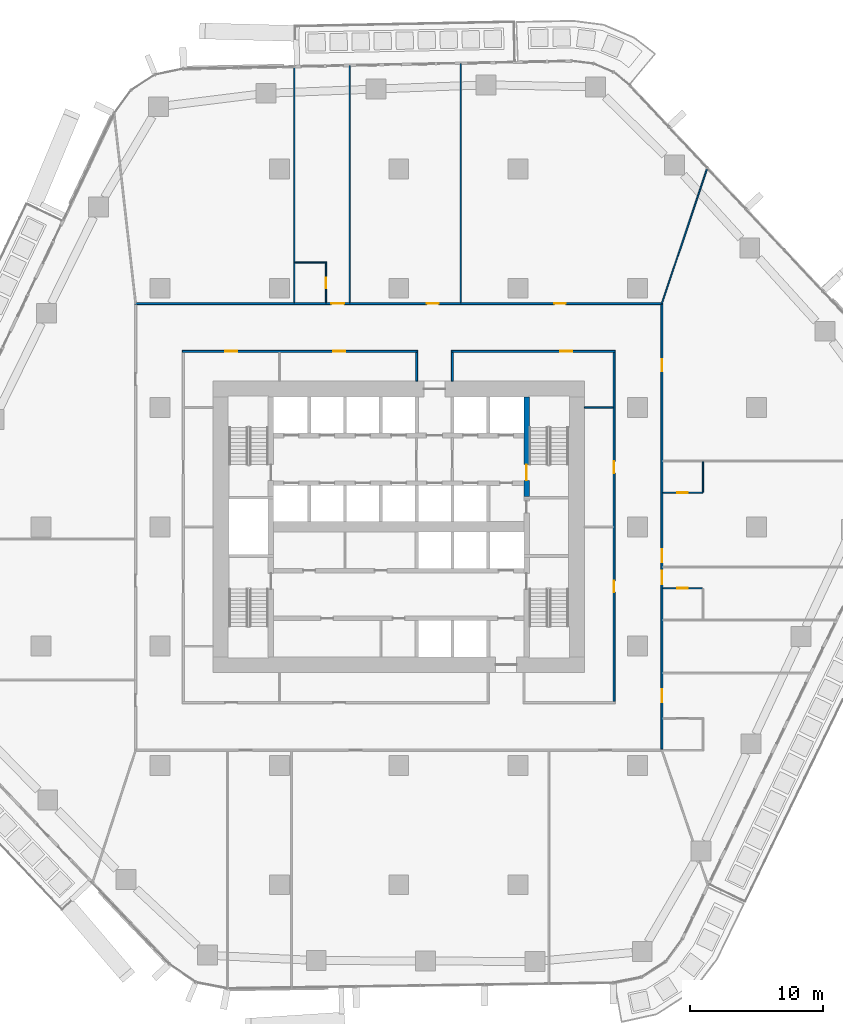
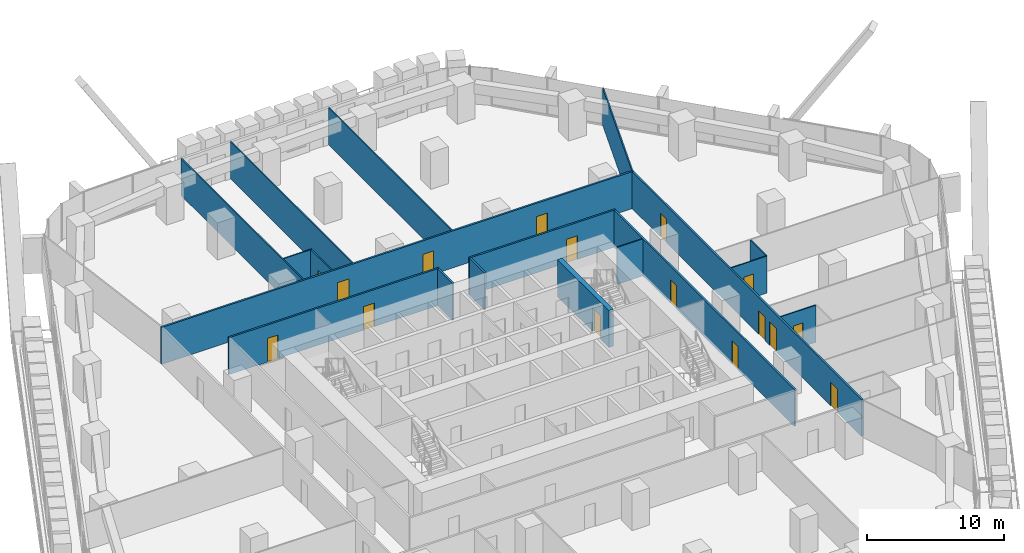
# One storey, part 16 of 24: 18 walls, 16 doors, 16 openings.
"""IFC4 building model written with IfcOpenShell, lengths in metres."""

from ifc_helpers import new_model, si_unit, direction, frame, frame_2d, origin, place, context, subcontext, project, spatial, rectangle, extrude, material, layer, layer_set, type_object, element, fill, save


model = new_model("IFC4")

# Units and contexts
model_context = context("Model", 3, precision=1e-05, world=origin(), true_north=direction((0.0, 1.0)))
body_context = subcontext(model_context, "Body", "Model", "MODEL_VIEW")
ifc_project = project(units=[si_unit("LENGTHUNIT", "METRE"), si_unit("AREAUNIT", "SQUARE_METRE"), si_unit("VOLUMEUNIT", "CUBIC_METRE"), si_unit("PLANEANGLEUNIT", "RADIAN"), si_unit("MASSUNIT", "GRAM", prefix="KILO")], contexts=[model_context])

# Site, building, storey
site_placement = place(None, origin())
site = spatial("IfcSite", under=ifc_project, at=site_placement, CompositionType="ELEMENT")
building_placement = place(site_placement, origin())
building = spatial("IfcBuilding", under=site, at=building_placement, Name="Dongbaek Canopy Tower", CompositionType="ELEMENT")
storey_placement = place(building_placement, frame((0.0, 0.0, 51.39990234375)))
storey = spatial("IfcBuildingStorey", under=building, at=storey_placement, Name="L08", CompositionType="ELEMENT", Elevation=51.39990234375)

# Wall, openings, doors
ifc_material_1 = material(Name="Gypsum board partition, steel stud, 2 x 15 mm fire board", Category="steel")
ifc_layer_1 = layer(ifc_material_1, 0.14990234375)
ifc_layer_set_1 = layer_set([ifc_layer_1], Name="Fire-rated partition 150 gypsum board")
wall_type_1 = type_object("IfcWallType", Name="Fire-rated partition 150 gypsum board", PredefinedType="PARTITIONING", material=ifc_layer_set_1)
wall_1_placement = place(storey_placement, frame((1.425048828125, 13.25, 0.0), z_axis=(0.0, 0.0, 1.0), x_axis=(-1.0, 0.0, 0.0)))
wall_1 = element("IfcWall", 1, at=wall_1_placement, inside=storey, type_object=wall_type_1, Name="Corridor partition", PredefinedType="PARTITIONING", context=body_context, shape_type="SweptSolid", body=[
    extrude(rectangle(XDim=17.75, YDim=0.14990234375, at=frame_2d((8.875, 0.0))), origin(), (0.0, 0.0, 1.0), 3.300048828125),
])
opening_1_placement = place(wall_1_placement, frame((5.47509765625, 0.0, 0.0)))
opening_1 = element("IfcOpeningElement", 2, at=opening_1_placement, cuts=wall_1, Name="Opening L08-D024", PredefinedType="OPENING", context=body_context, shape_type="SweptSolid", body=[
    extrude(rectangle(XDim=0.89990234375, YDim=2.10009765625, at=frame_2d((0.449951171875, 1.050048828125))), frame((0.0, 0.0849609375, 0.0), z_axis=(0.0, -1.0, 0.0), x_axis=(1.0, 0.0, 0.0)), (0.0, 0.0, 1.0), 0.169921875),
])
opening_2_placement = place(wall_1_placement, frame((13.60009765625, 0.0, 0.0)))
opening_2 = element("IfcOpeningElement", 3, at=opening_2_placement, cuts=wall_1, Name="Opening L08-D025", PredefinedType="OPENING", context=body_context, shape_type="SweptSolid", body=[
    extrude(rectangle(XDim=0.89990234375, YDim=2.10009765625, at=frame_2d((0.449951171875, 1.050048828125))), frame((0.0, 0.0849609375, 0.0), z_axis=(0.0, -1.0, 0.0), x_axis=(1.0, 0.0, 0.0)), (0.0, 0.0, 1.0), 0.169921875),
])
ifc_material_2 = material(Name="Timber veneered door leaf", Category="wood")
door_type_1 = type_object("IfcDoorType", Name="Room door 900 x 2100", OperationType="SINGLE_SWING_LEFT", PredefinedType="DOOR", material=ifc_material_2)
door_1_placement = place(opening_1_placement, origin())
door_1 = element("IfcDoor", 4, at=door_1_placement, inside=storey, type_object=door_type_1, Name="Door L08-D024", OperationType="SINGLE_SWING_RIGHT", OverallHeight=2.10009765625, OverallWidth=0.89990234375, PredefinedType="DOOR", context=body_context, shape_type="SweptSolid", body=[
    extrude(rectangle(XDim=0.89990234375, YDim=2.10009765625, at=frame_2d((0.449951171875, 1.050048828125))), frame((0.0, 0.02490234375, 0.0), z_axis=(0.0, -1.0, 0.0), x_axis=(1.0, 0.0, 0.0)), (0.0, 0.0, 1.0), 0.050048828125),
])
fill(opening_1, door_1)
door_2_placement = place(opening_2_placement, origin())
door_2 = element("IfcDoor", 5, at=door_2_placement, inside=storey, type_object=door_type_1, Name="Door L08-D025", OperationType="SINGLE_SWING_LEFT", OverallHeight=2.10009765625, OverallWidth=0.89990234375, PredefinedType="DOOR", context=body_context, shape_type="SweptSolid", body=[
    extrude(rectangle(XDim=0.89990234375, YDim=2.10009765625, at=frame_2d((0.449951171875, 1.050048828125))), frame((0.0, 0.02490234375, 0.0), z_axis=(0.0, -1.0, 0.0), x_axis=(1.0, 0.0, 0.0)), (0.0, 0.0, 1.0), 0.050048828125),
])
fill(opening_2, door_2)

# Wall, opening, door
wall_2_placement = place(storey_placement, frame((16.324951171875, 13.25, 0.0), z_axis=(0.0, 0.0, 1.0), x_axis=(-1.0, 0.0, 0.0)))
wall_2 = element("IfcWall", 6, at=wall_2_placement, inside=storey, type_object=wall_type_1, Name="Corridor partition", PredefinedType="PARTITIONING", context=body_context, shape_type="SweptSolid", body=[
    extrude(rectangle(XDim=12.349853515625, YDim=0.14990234375, at=frame_2d((6.1748046875, 0.0))), origin(), (0.0, 0.0, 1.0), 3.300048828125),
])
opening_3_placement = place(wall_2_placement, frame((3.25, 0.0, 0.0)))
opening_3 = element("IfcOpeningElement", 7, at=opening_3_placement, cuts=wall_2, Name="Opening L08-D023", PredefinedType="OPENING", context=body_context, shape_type="SweptSolid", body=[
    extrude(rectangle(XDim=0.89990234375, YDim=2.10009765625, at=frame_2d((0.449951171875, 1.050048828125))), frame((0.0, 0.0849609375, 0.0), z_axis=(0.0, -1.0, 0.0), x_axis=(1.0, 0.0, 0.0)), (0.0, 0.0, 1.0), 0.169921875),
])
door_3_placement = place(opening_3_placement, origin())
door_3 = element("IfcDoor", 8, at=door_3_placement, inside=storey, type_object=door_type_1, Name="Door L08-D023", OperationType="SINGLE_SWING_LEFT", OverallHeight=2.10009765625, OverallWidth=0.89990234375, PredefinedType="DOOR", context=body_context, shape_type="SweptSolid", body=[
    extrude(rectangle(XDim=0.89990234375, YDim=2.10009765625, at=frame_2d((0.449951171875, 1.050048828125))), frame((0.0, 0.02490234375, 0.0), z_axis=(0.0, -1.0, 0.0), x_axis=(1.0, 0.0, 0.0)), (0.0, 0.0, 1.0), 0.050048828125),
])
fill(opening_3, door_3)

# Wall, openings, doors
wall_3_placement = place(storey_placement, frame((-19.925048828125, 16.85009765625, 0.0), z_axis=(0.0, 0.0, 1.0), x_axis=(1.0, 0.0, 0.0)))
wall_3 = element("IfcWall", 9, at=wall_3_placement, inside=storey, type_object=wall_type_1, Name="Corridor partition", PredefinedType="PARTITIONING", context=body_context, shape_type="SweptSolid", body=[
    extrude(rectangle(XDim=39.85009765625, YDim=0.14990234375, at=frame_2d((19.925048828125, 0.0))), origin(), (0.0, 0.0, 1.0), 3.300048828125),
])
opening_4_placement = place(wall_3_placement, frame((31.642822265625, 0.0, 0.0)))
opening_4 = element("IfcOpeningElement", 10, at=opening_4_placement, cuts=wall_3, Name="Opening L08-D013", PredefinedType="OPENING", context=body_context, shape_type="SweptSolid", body=[
    extrude(rectangle(XDim=0.89990234375, YDim=2.10009765625, at=frame_2d((0.449951171875, 1.050048828125))), frame((0.0, 0.0849609375, 0.0), z_axis=(0.0, -1.0, 0.0), x_axis=(1.0, 0.0, 0.0)), (0.0, 0.0, 1.0), 0.169921875),
])
opening_5_placement = place(wall_3_placement, frame((22.0556640625, 0.0, 0.0)))
opening_5 = element("IfcOpeningElement", 11, at=opening_5_placement, cuts=wall_3, Name="Opening L08-D014", PredefinedType="OPENING", context=body_context, shape_type="SweptSolid", body=[
    extrude(rectangle(XDim=0.89990234375, YDim=2.10009765625, at=frame_2d((0.449951171875, 1.050048828125))), frame((0.0, 0.0849609375, 0.0), z_axis=(0.0, -1.0, 0.0), x_axis=(1.0, 0.0, 0.0)), (0.0, 0.0, 1.0), 0.169921875),
])
opening_6_placement = place(wall_3_placement, frame((14.8310546875, 0.0, 0.0)))
opening_6 = element("IfcOpeningElement", 12, at=opening_6_placement, cuts=wall_3, Name="Opening L08-D016", PredefinedType="OPENING", context=body_context, shape_type="SweptSolid", body=[
    extrude(rectangle(XDim=1.0, YDim=2.10009765625, at=frame_2d((0.5, 1.050048828125))), frame((0.0, 0.0849609375, 0.0), z_axis=(0.0, -1.0, 0.0), x_axis=(1.0, 0.0, 0.0)), (0.0, 0.0, 1.0), 0.169921875),
])
ifc_material_3 = material(Name="Timber veneered door leaf", Category="wood")
door_type_2 = type_object("IfcDoorType", Name="Guest room door 1000 x 2100", OperationType="SINGLE_SWING_LEFT", PredefinedType="DOOR", material=ifc_material_3)
door_4_placement = place(opening_6_placement, origin())
door_4 = element("IfcDoor", 13, at=door_4_placement, inside=storey, type_object=door_type_2, Name="Door L08-D016", OperationType="SINGLE_SWING_LEFT", OverallHeight=2.10009765625, OverallWidth=1.0, PredefinedType="DOOR", context=body_context, shape_type="SweptSolid", body=[
    extrude(rectangle(XDim=1.0, YDim=2.10009765625, at=frame_2d((0.5, 1.050048828125))), frame((0.0, 0.02490234375, 0.0), z_axis=(0.0, -1.0, 0.0), x_axis=(1.0, 0.0, 0.0)), (0.0, 0.0, 1.0), 0.050048828125),
])
fill(opening_6, door_4)
door_5_placement = place(opening_4_placement, origin())
door_5 = element("IfcDoor", 14, at=door_5_placement, inside=storey, type_object=door_type_1, Name="Door L08-D013", OperationType="SINGLE_SWING_LEFT", OverallHeight=2.10009765625, OverallWidth=0.89990234375, PredefinedType="DOOR", context=body_context, shape_type="SweptSolid", body=[
    extrude(rectangle(XDim=0.89990234375, YDim=2.10009765625, at=frame_2d((0.449951171875, 1.050048828125))), frame((0.0, 0.02490234375, 0.0), z_axis=(0.0, -1.0, 0.0), x_axis=(1.0, 0.0, 0.0)), (0.0, 0.0, 1.0), 0.050048828125),
])
fill(opening_4, door_5)
door_6_placement = place(opening_5_placement, origin())
door_6 = element("IfcDoor", 15, at=door_6_placement, inside=storey, type_object=door_type_1, Name="Door L08-D014", OperationType="SINGLE_SWING_RIGHT", OverallHeight=2.10009765625, OverallWidth=0.89990234375, PredefinedType="DOOR", context=body_context, shape_type="SweptSolid", body=[
    extrude(rectangle(XDim=0.89990234375, YDim=2.10009765625, at=frame_2d((0.449951171875, 1.050048828125))), frame((0.0, 0.02490234375, 0.0), z_axis=(0.0, -1.0, 0.0), x_axis=(1.0, 0.0, 0.0)), (0.0, 0.0, 1.0), 0.050048828125),
])
fill(opening_5, door_6)

wall_4_placement = place(storey_placement, frame((19.85009765625, 16.77490234375, 0.0), z_axis=(0.0, 0.0, 1.0), x_axis=(0.0, -1.0, 0.0)))
wall_4 = element("IfcWall", 16, at=wall_4_placement, inside=storey, type_object=wall_type_1, Name="Corridor partition", PredefinedType="PARTITIONING", context=body_context, shape_type="SweptSolid", body=[
    extrude(rectangle(XDim=33.5498046875, YDim=0.14990234375, at=frame_2d((16.77490234375, 0.0))), origin(), (0.0, 0.0, 1.0), 3.300048828125),
])
opening_7_placement = place(wall_4_placement, frame((29.01611328125, 0.0, 0.0)))
opening_7 = element("IfcOpeningElement", 17, at=opening_7_placement, cuts=wall_4, Name="Opening L08-D007", PredefinedType="OPENING", context=body_context, shape_type="SweptSolid", body=[
    extrude(rectangle(XDim=1.0, YDim=2.10009765625, at=frame_2d((0.5, 1.050048828125))), frame((0.0, 0.0849609375, 0.0), z_axis=(0.0, -1.0, 0.0), x_axis=(1.0, 0.0, 0.0)), (0.0, 0.0, 1.0), 0.169921875),
])
opening_8_placement = place(wall_4_placement, frame((20.100341796875, 0.0, 0.0)))
opening_8 = element("IfcOpeningElement", 18, at=opening_8_placement, cuts=wall_4, Name="Opening L08-D009", PredefinedType="OPENING", context=body_context, shape_type="SweptSolid", body=[
    extrude(rectangle(XDim=1.0, YDim=2.10009765625, at=frame_2d((0.5, 1.050048828125))), frame((0.0, 0.0849609375, 0.0), z_axis=(0.0, -1.0, 0.0), x_axis=(1.0, 0.0, 0.0)), (0.0, 0.0, 1.0), 0.169921875),
])
opening_9_placement = place(wall_4_placement, frame((18.445556640625, 0.0, 0.0)))
opening_9 = element("IfcOpeningElement", 19, at=opening_9_placement, cuts=wall_4, Name="Opening L08-D011", PredefinedType="OPENING", context=body_context, shape_type="SweptSolid", body=[
    extrude(rectangle(XDim=1.0, YDim=2.10009765625, at=frame_2d((0.5, 1.050048828125))), frame((0.0, 0.0849609375, 0.0), z_axis=(0.0, -1.0, 0.0), x_axis=(1.0, 0.0, 0.0)), (0.0, 0.0, 1.0), 0.169921875),
])
opening_10_placement = place(wall_4_placement, frame((4.142822265625, 0.0, 0.0)))
opening_10 = element("IfcOpeningElement", 20, at=opening_10_placement, cuts=wall_4, Name="Opening L08-D012", PredefinedType="OPENING", context=body_context, shape_type="SweptSolid", body=[
    extrude(rectangle(XDim=0.89990234375, YDim=2.10009765625, at=frame_2d((0.449951171875, 1.050048828125))), frame((0.0, 0.0849609375, 0.0), z_axis=(0.0, -1.0, 0.0), x_axis=(1.0, 0.0, 0.0)), (0.0, 0.0, 1.0), 0.169921875),
])
door_7_placement = place(opening_7_placement, origin())
door_7 = element("IfcDoor", 21, at=door_7_placement, inside=storey, type_object=door_type_2, Name="Door L08-D007", OperationType="SINGLE_SWING_RIGHT", OverallHeight=2.10009765625, OverallWidth=1.0, PredefinedType="DOOR", context=body_context, shape_type="SweptSolid", body=[
    extrude(rectangle(XDim=1.0, YDim=2.10009765625, at=frame_2d((0.5, 1.050048828125))), frame((0.0, 0.02490234375, 0.0), z_axis=(0.0, -1.0, 0.0), x_axis=(1.0, 0.0, 0.0)), (0.0, 0.0, 1.0), 0.050048828125),
])
fill(opening_7, door_7)
door_8_placement = place(opening_8_placement, origin())
door_8 = element("IfcDoor", 22, at=door_8_placement, inside=storey, type_object=door_type_2, Name="Door L08-D009", OperationType="SINGLE_SWING_RIGHT", OverallHeight=2.10009765625, OverallWidth=1.0, PredefinedType="DOOR", context=body_context, shape_type="SweptSolid", body=[
    extrude(rectangle(XDim=1.0, YDim=2.10009765625, at=frame_2d((0.5, 1.050048828125))), frame((0.0, 0.02490234375, 0.0), z_axis=(0.0, -1.0, 0.0), x_axis=(1.0, 0.0, 0.0)), (0.0, 0.0, 1.0), 0.050048828125),
])
fill(opening_8, door_8)
door_9_placement = place(opening_9_placement, origin())
door_9 = element("IfcDoor", 23, at=door_9_placement, inside=storey, type_object=door_type_2, Name="Door L08-D011", OperationType="SINGLE_SWING_LEFT", OverallHeight=2.10009765625, OverallWidth=1.0, PredefinedType="DOOR", context=body_context, shape_type="SweptSolid", body=[
    extrude(rectangle(XDim=1.0, YDim=2.10009765625, at=frame_2d((0.5, 1.050048828125))), frame((0.0, 0.02490234375, 0.0), z_axis=(0.0, -1.0, 0.0), x_axis=(1.0, 0.0, 0.0)), (0.0, 0.0, 1.0), 0.050048828125),
])
fill(opening_9, door_9)
door_10_placement = place(opening_10_placement, origin())
door_10 = element("IfcDoor", 24, at=door_10_placement, inside=storey, type_object=door_type_1, Name="Door L08-D012", OperationType="SINGLE_SWING_RIGHT", OverallHeight=2.10009765625, OverallWidth=0.89990234375, PredefinedType="DOOR", context=body_context, shape_type="SweptSolid", body=[
    extrude(rectangle(XDim=0.89990234375, YDim=2.10009765625, at=frame_2d((0.449951171875, 1.050048828125))), frame((0.0, 0.02490234375, 0.0), z_axis=(0.0, -1.0, 0.0), x_axis=(1.0, 0.0, 0.0)), (0.0, 0.0, 1.0), 0.050048828125),
])
fill(opening_10, door_10)

wall_5_placement = place(storey_placement, frame((16.25, -13.175048828125, 0.0), z_axis=(0.0, 0.0, 1.0), x_axis=(0.0, 1.0, 0.0)))
wall_5 = element("IfcWall", 25, at=wall_5_placement, inside=storey, type_object=wall_type_1, Name="Corridor partition", PredefinedType="PARTITIONING", context=body_context, shape_type="SweptSolid", body=[
    extrude(rectangle(XDim=26.35009765625, YDim=0.14990234375, at=frame_2d((13.175048828125, 0.0))), origin(), (0.0, 0.0, 1.0), 3.300048828125),
])
opening_11_placement = place(wall_5_placement, frame((8.22509765625, 0.0, 0.0)))
opening_11 = element("IfcOpeningElement", 26, at=opening_11_placement, cuts=wall_5, Name="Opening L08-D021", PredefinedType="OPENING", context=body_context, shape_type="SweptSolid", body=[
    extrude(rectangle(XDim=0.89990234375, YDim=2.10009765625, at=frame_2d((0.449951171875, 1.050048828125))), frame((0.0, 0.0849609375, 0.0), z_axis=(0.0, -1.0, 0.0), x_axis=(1.0, 0.0, 0.0)), (0.0, 0.0, 1.0), 0.169921875),
])
opening_12_placement = place(wall_5_placement, frame((17.22509765625, 0.0, 0.0)))
opening_12 = element("IfcOpeningElement", 27, at=opening_12_placement, cuts=wall_5, Name="Opening L08-D022", PredefinedType="OPENING", context=body_context, shape_type="SweptSolid", body=[
    extrude(rectangle(XDim=0.89990234375, YDim=2.10009765625, at=frame_2d((0.449951171875, 1.050048828125))), frame((0.0, 0.0849609375, 0.0), z_axis=(0.0, -1.0, 0.0), x_axis=(1.0, 0.0, 0.0)), (0.0, 0.0, 1.0), 0.169921875),
])
door_11_placement = place(opening_11_placement, origin())
door_11 = element("IfcDoor", 28, at=door_11_placement, inside=storey, type_object=door_type_1, Name="Door L08-D021", OperationType="SINGLE_SWING_LEFT", OverallHeight=2.10009765625, OverallWidth=0.89990234375, PredefinedType="DOOR", context=body_context, shape_type="SweptSolid", body=[
    extrude(rectangle(XDim=0.89990234375, YDim=2.10009765625, at=frame_2d((0.449951171875, 1.050048828125))), frame((0.0, 0.02490234375, 0.0), z_axis=(0.0, -1.0, 0.0), x_axis=(1.0, 0.0, 0.0)), (0.0, 0.0, 1.0), 0.050048828125),
])
fill(opening_11, door_11)
door_12_placement = place(opening_12_placement, origin())
door_12 = element("IfcDoor", 29, at=door_12_placement, inside=storey, type_object=door_type_1, Name="Door L08-D022", OperationType="SINGLE_SWING_RIGHT", OverallHeight=2.10009765625, OverallWidth=0.89990234375, PredefinedType="DOOR", context=body_context, shape_type="SweptSolid", body=[
    extrude(rectangle(XDim=0.89990234375, YDim=2.10009765625, at=frame_2d((0.449951171875, 1.050048828125))), frame((0.0, 0.02490234375, 0.0), z_axis=(0.0, -1.0, 0.0), x_axis=(1.0, 0.0, 0.0)), (0.0, 0.0, 1.0), 0.050048828125),
])
fill(opening_12, door_12)

# Walls
for number, where, z_axis, x_axis, name in (
    (30, (4.050048828125, 11.0, 0.0), (0.0, 0.0, 1.0), (0.0, 1.0, 0.0), "Corridor partition"),
    (31, (1.35009765625, 11.0, 0.0), (0.0, 0.0, 1.0), (0.0, 1.0, 0.0), "Corridor partition"),
):
    element("IfcWall", number, at=place(storey_placement, frame(where, z_axis=z_axis, x_axis=x_axis)), inside=storey, type_object=wall_type_1, Name=name, PredefinedType="PARTITIONING", context=body_context, shape_type="SweptSolid", body=[
        extrude(rectangle(XDim=2.175048828125, YDim=0.14990234375, at=frame_2d((1.08740234375, 0.0))), origin(), (0.0, 0.0, 1.0), 3.300048828125),
    ])

# Wall, opening, door
ifc_material_4 = material(Name="Gypsum board partition, steel stud, 2 x 12.5 mm board", Category="steel")
ifc_layer_2 = layer(ifc_material_4, 0.10009765625)
ifc_layer_set_2 = layer_set([ifc_layer_2], Name="Partition 100 gypsum board")
wall_type_2 = type_object("IfcWallType", Name="Partition 100 gypsum board", PredefinedType="PARTITIONING", material=ifc_layer_set_2)
wall_6_placement = place(storey_placement, frame((22.89990234375, -4.6279296875, 0.0), z_axis=(0.0, 0.0, 1.0), x_axis=(-1.0, 0.0, 0.0)))
wall_6 = element("IfcWall", 32, at=wall_6_placement, inside=storey, type_object=wall_type_2, Name="Partition", PredefinedType="PARTITIONING", context=body_context, shape_type="SweptSolid", body=[
    extrude(rectangle(XDim=2.974853515625, YDim=0.10009765625, at=frame_2d((1.4873046875, 0.0))), origin(), (0.0, 0.0, 1.0), 3.300048828125),
])
opening_13_placement = place(wall_6_placement, frame((1.10009765625, 0.0, 0.0)))
opening_13 = element("IfcOpeningElement", 33, at=opening_13_placement, cuts=wall_6, Name="Opening L08-D008", PredefinedType="OPENING", context=body_context, shape_type="SweptSolid", body=[
    extrude(rectangle(XDim=0.800048828125, YDim=2.10009765625, at=frame_2d((0.39990234375, 1.050048828125))), frame((0.0, 0.06005859375, 0.0), z_axis=(0.0, -1.0, 0.0), x_axis=(1.0, 0.0, 0.0)), (0.0, 0.0, 1.0), 0.1201171875),
])
ifc_material_5 = material(Name="Timber veneered door leaf", Category="wood")
door_type_3 = type_object("IfcDoorType", Name="En-suite door 800 x 2100", OperationType="SINGLE_SWING_LEFT", PredefinedType="DOOR", material=ifc_material_5)
door_13_placement = place(opening_13_placement, origin())
door_13 = element("IfcDoor", 34, at=door_13_placement, inside=storey, type_object=door_type_3, Name="Door L08-D008", OperationType="SINGLE_SWING_LEFT", OverallHeight=2.10009765625, OverallWidth=0.800048828125, PredefinedType="DOOR", context=body_context, shape_type="SweptSolid", body=[
    extrude(rectangle(XDim=0.800048828125, YDim=2.10009765625, at=frame_2d((0.39990234375, 1.050048828125))), frame((0.0, 0.02490234375, 0.0), z_axis=(0.0, -1.0, 0.0), x_axis=(1.0, 0.0, 0.0)), (0.0, 0.0, 1.0), 0.050048828125),
])
fill(opening_13, door_13)

wall_7_placement = place(storey_placement, frame((19.925048828125, 2.576904296875, 0.0), z_axis=(0.0, 0.0, 1.0), x_axis=(1.0, 0.0, 0.0)))
wall_7 = element("IfcWall", 35, at=wall_7_placement, inside=storey, type_object=wall_type_2, Name="Partition", PredefinedType="PARTITIONING", context=body_context, shape_type="SweptSolid", body=[
    extrude(rectangle(XDim=3.02490234375, YDim=0.10009765625, at=frame_2d((1.512451171875, 0.0))), origin(), (0.0, 0.0, 1.0), 3.300048828125),
])
opening_14_placement = place(wall_7_placement, frame((1.074951171875, 0.0, 0.0)))
opening_14 = element("IfcOpeningElement", 36, at=opening_14_placement, cuts=wall_7, Name="Opening L08-D010", PredefinedType="OPENING", context=body_context, shape_type="SweptSolid", body=[
    extrude(rectangle(XDim=0.800048828125, YDim=2.10009765625, at=frame_2d((0.39990234375, 1.050048828125))), frame((0.0, 0.06005859375, 0.0), z_axis=(0.0, -1.0, 0.0), x_axis=(1.0, 0.0, 0.0)), (0.0, 0.0, 1.0), 0.1201171875),
])
door_14_placement = place(opening_14_placement, origin())
door_14 = element("IfcDoor", 37, at=door_14_placement, inside=storey, type_object=door_type_3, Name="Door L08-D010", OperationType="SINGLE_SWING_RIGHT", OverallHeight=2.10009765625, OverallWidth=0.800048828125, PredefinedType="DOOR", context=body_context, shape_type="SweptSolid", body=[
    extrude(rectangle(XDim=0.800048828125, YDim=2.10009765625, at=frame_2d((0.39990234375, 1.050048828125))), frame((0.0, 0.02490234375, 0.0), z_axis=(0.0, -1.0, 0.0), x_axis=(1.0, 0.0, 0.0)), (0.0, 0.0, 1.0), 0.050048828125),
])
fill(opening_14, door_14)

# Walls
wall_8_placement = place(storey_placement, frame((14.0, 9.0, 0.0), z_axis=(0.0, 0.0, 1.0), x_axis=(1.0, 0.0, 0.0)))
element("IfcWall", 38, at=wall_8_placement, inside=storey, type_object=wall_type_2, Name="Partition", PredefinedType="PARTITIONING", context=body_context, shape_type="SweptSolid", body=[
    extrude(rectangle(XDim=2.175048828125, YDim=0.10009765625, at=frame_2d((1.08740234375, 0.0))), origin(), (0.0, 0.0, 1.0), 3.300048828125),
])
wall_9_placement = place(storey_placement, frame((-7.837646484375, 19.949951171875, 0.0), z_axis=(0.0, 0.0, 1.0), x_axis=(1.0, 0.0, 0.0)))
element("IfcWall", 39, at=wall_9_placement, inside=storey, type_object=wall_type_2, Name="Partition", PredefinedType="PARTITIONING", context=body_context, shape_type="SweptSolid", body=[
    extrude(rectangle(XDim=2.400146484375, YDim=0.10009765625, at=frame_2d((1.2001953125, 0.0))), origin(), (0.0, 0.0, 1.0), 3.300048828125),
])
wall_10_placement = place(storey_placement, frame((19.849853515625, 16.85009765625, 0.0), z_axis=(0.0, 0.0, 1.0), x_axis=(0.317967659794, 0.948101559605, 0.0)))
element("IfcWall", 40, at=wall_10_placement, inside=storey, type_object=wall_type_2, Name="Partition", PredefinedType="PARTITIONING", context=body_context, shape_type="SweptSolid", body=[
    extrude(rectangle(XDim=10.773193359375, YDim=0.10009765625, at=frame_2d((5.38671875, 0.0))), origin(), (0.0, 0.0, 1.0), 3.300048828125),
])
wall_11_placement = place(storey_placement, frame((22.949951171875, 2.627197265625, 0.0), z_axis=(0.0, 0.0, 1.0), x_axis=(0.0, 1.0, 0.0)))
element("IfcWall", 41, at=wall_11_placement, inside=storey, type_object=wall_type_2, Name="Partition", PredefinedType="PARTITIONING", context=body_context, shape_type="SweptSolid", body=[
    extrude(rectangle(XDim=2.2998046875, YDim=0.10009765625, at=frame_2d((1.14990234375, 0.0))), origin(), (0.0, 0.0, 1.0), 3.300048828125),
])
wall_12_placement = place(storey_placement, frame((4.674072265625, 16.925048828125, 0.0), z_axis=(0.0, 0.0, 1.0), x_axis=(0.0, 1.0, 0.0)))
element("IfcWall", 42, at=wall_12_placement, inside=storey, type_object=wall_type_2, Name="Partition", PredefinedType="PARTITIONING", context=body_context, shape_type="SweptSolid", body=[
    extrude(rectangle(XDim=18.0341796875, YDim=0.10009765625, at=frame_2d((9.01708984375, 0.0))), origin(), (0.0, 0.0, 1.0), 3.300048828125),
])
wall_13_placement = place(storey_placement, frame((-3.699951171875, 16.925048828125, 0.0), z_axis=(0.0, 0.0, 1.0), x_axis=(0.0, 1.0, 0.0)))
element("IfcWall", 43, at=wall_13_placement, inside=storey, type_object=wall_type_2, Name="Partition", PredefinedType="PARTITIONING", context=body_context, shape_type="SweptSolid", body=[
    extrude(rectangle(XDim=17.867431640625, YDim=0.10009765625, at=frame_2d((8.93359375, 0.0))), origin(), (0.0, 0.0, 1.0), 3.300048828125),
])

# Wall, opening, door
wall_14_placement = place(storey_placement, frame((-5.488037109375, 16.925048828125, 0.0), z_axis=(0.0, 0.0, 1.0), x_axis=(0.0, 1.0, 0.0)))
wall_14 = element("IfcWall", 44, at=wall_14_placement, inside=storey, type_object=wall_type_2, Name="Partition", PredefinedType="PARTITIONING", context=body_context, shape_type="SweptSolid", body=[
    extrude(rectangle(XDim=2.974853515625, YDim=0.10009765625, at=frame_2d((1.4873046875, 0.0))), origin(), (0.0, 0.0, 1.0), 3.300048828125),
])
opening_15_placement = place(wall_14_placement, frame((1.074951171875, 0.0, 0.0)))
opening_15 = element("IfcOpeningElement", 45, at=opening_15_placement, cuts=wall_14, Name="Opening L08-D015", PredefinedType="OPENING", context=body_context, shape_type="SweptSolid", body=[
    extrude(rectangle(XDim=0.800048828125, YDim=2.10009765625, at=frame_2d((0.39990234375, 1.050048828125))), frame((0.0, 0.06005859375, 0.0), z_axis=(0.0, -1.0, 0.0), x_axis=(1.0, 0.0, 0.0)), (0.0, 0.0, 1.0), 0.1201171875),
])
door_15_placement = place(opening_15_placement, origin())
door_15 = element("IfcDoor", 46, at=door_15_placement, inside=storey, type_object=door_type_3, Name="Door L08-D015", OperationType="SINGLE_SWING_RIGHT", OverallHeight=2.10009765625, OverallWidth=0.800048828125, PredefinedType="DOOR", context=body_context, shape_type="SweptSolid", body=[
    extrude(rectangle(XDim=0.800048828125, YDim=2.10009765625, at=frame_2d((0.39990234375, 1.050048828125))), frame((0.0, 0.02490234375, 0.0), z_axis=(0.0, -1.0, 0.0), x_axis=(1.0, 0.0, 0.0)), (0.0, 0.0, 1.0), 0.050048828125),
])
fill(opening_15, door_15)

# Wall
wall_15_placement = place(storey_placement, frame((-7.887939453125, 16.925048828125, 0.0), z_axis=(0.0, 0.0, 1.0), x_axis=(0.0, 1.0, 0.0)))
element("IfcWall", 47, at=wall_15_placement, inside=storey, type_object=wall_type_2, Name="Partition", PredefinedType="PARTITIONING", context=body_context, shape_type="SweptSolid", body=[
    extrude(rectangle(XDim=17.783935546875, YDim=0.10009765625, at=frame_2d((8.89208984375, 0.0))), origin(), (0.0, 0.0, 1.0), 3.300048828125),
])

# Wall, opening, door
ifc_material_6 = material(Name="Concrete C60/75", Category="concrete")
ifc_layer_3 = layer(ifc_material_6, 0.39990234375)
ifc_layer_set_3 = layer_set([ifc_layer_3], Name="Stair wall 400 Concrete C60/75")
wall_type_3 = type_object("IfcWallType", Name="Stair wall 400 Concrete C60/75", PredefinedType="SHEAR", material=ifc_layer_set_3)
wall_16_placement = place(storey_placement, frame((9.64990234375, 9.800048828125, 0.0), z_axis=(0.0, 0.0, 1.0), x_axis=(0.0, -1.0, 0.0)))
wall_16 = element("IfcWall", 48, at=wall_16_placement, inside=storey, type_object=wall_type_3, Name="Stair wall", PredefinedType="SHEAR", context=body_context, shape_type="SweptSolid", body=[
    extrude(rectangle(XDim=7.5, YDim=0.39990234375, at=frame_2d((3.75, 0.0))), origin(), (0.0, 0.0, 1.0), 3.300048828125),
])
opening_16_placement = place(wall_16_placement, frame((5.10009765625, 0.0, 0.0)))
opening_16 = element("IfcOpeningElement", 49, at=opening_16_placement, cuts=wall_16, Name="Opening L08-D050", PredefinedType="OPENING", context=body_context, shape_type="SweptSolid", body=[
    extrude(rectangle(XDim=1.199951171875, YDim=2.10009765625, at=frame_2d((0.60009765625, 1.050048828125))), frame((0.0, 0.2099609375, 0.0), z_axis=(0.0, -1.0, 0.0), x_axis=(1.0, 0.0, 0.0)), (0.0, 0.0, 1.0), 0.419921875),
])
ifc_material_7 = material(Name="Steel", Category="steel")
door_type_4 = type_object("IfcDoorType", Name="Stair door 1200 x 2100", OperationType="SINGLE_SWING_LEFT", PredefinedType="DOOR", material=ifc_material_7)
door_16_placement = place(opening_16_placement, origin())
door_16 = element("IfcDoor", 50, at=door_16_placement, inside=storey, type_object=door_type_4, Name="Stair A door", OperationType="SINGLE_SWING_LEFT", OverallHeight=2.10009765625, OverallWidth=1.199951171875, PredefinedType="DOOR", context=body_context, shape_type="SweptSolid", body=[
    extrude(rectangle(XDim=1.199951171875, YDim=2.10009765625, at=frame_2d((0.60009765625, 1.050048828125))), frame((0.0, 0.02490234375, 0.0), z_axis=(0.0, -1.0, 0.0), x_axis=(1.0, 0.0, 0.0)), (0.0, 0.0, 1.0), 0.050048828125),
])
fill(opening_16, door_16)

save(model, "model.ifc")
